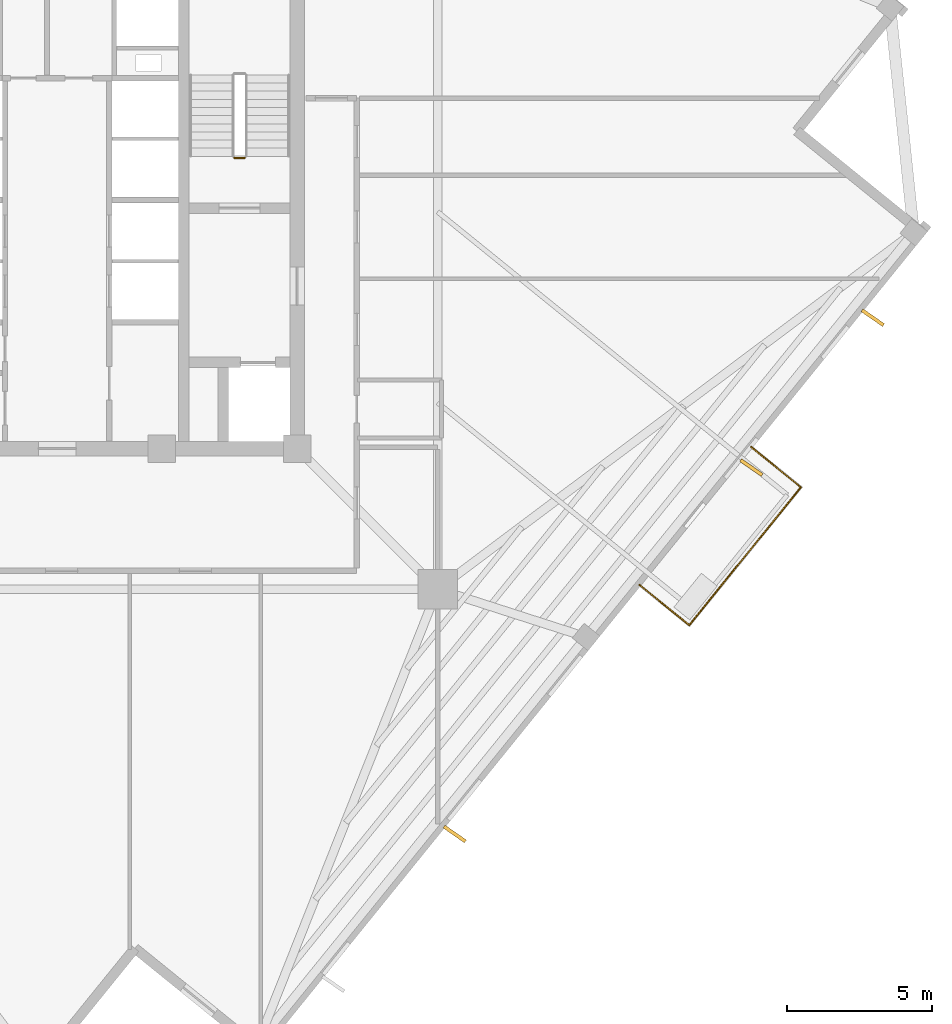
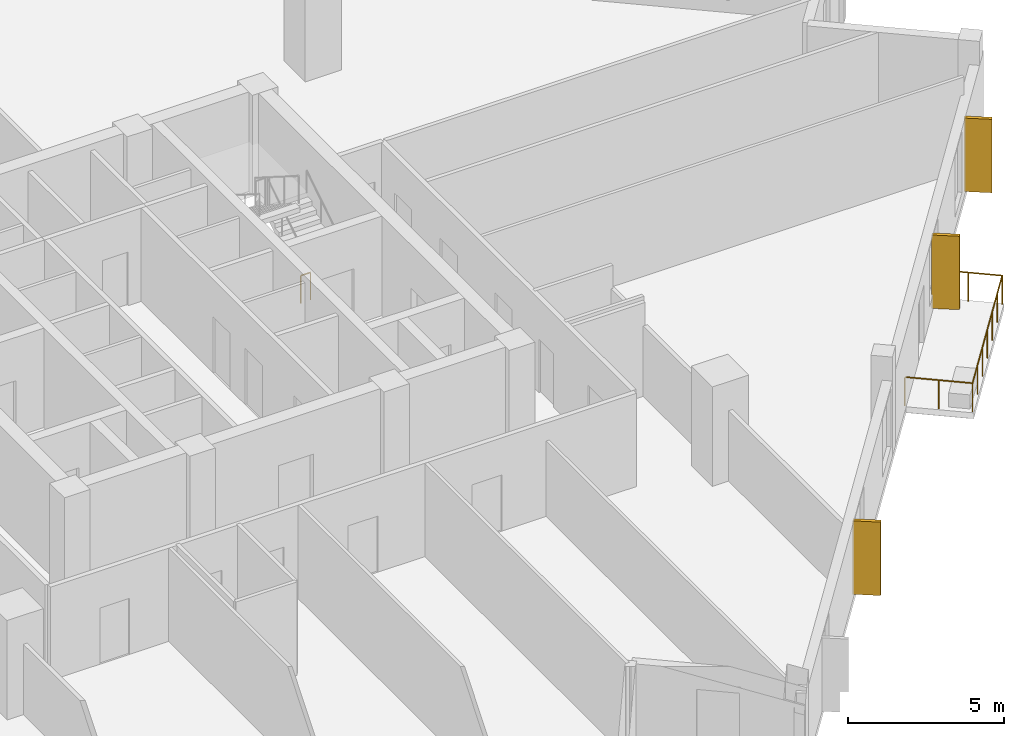
# One storey, part 7 of 9: 4 railings, 3 coverings.
"""IFC4 building model written with IfcOpenShell, lengths in metres."""

from ifc_helpers import new_model, si_unit, direction, frame, origin, origin_2d, place, context, subcontext, project, spatial, rectangle, circle, extrude, source, transform, mapped, material, layer, layer_set, type_object, element, save


model = new_model("IFC4")

# Units and contexts
model_context = context("Model", 3, precision=1e-05, world=origin(), true_north=direction((0.0, 1.0)))
body_context = subcontext(model_context, "Body", "Model", "MODEL_VIEW")
ifc_project = project(units=[si_unit("LENGTHUNIT", "METRE"), si_unit("AREAUNIT", "SQUARE_METRE"), si_unit("VOLUMEUNIT", "CUBIC_METRE"), si_unit("PLANEANGLEUNIT", "RADIAN"), si_unit("MASSUNIT", "GRAM", prefix="KILO"), si_unit("THERMODYNAMICTEMPERATUREUNIT", "KELVIN")], contexts=[model_context])

# Site, building, storey
site_placement = place(None, origin())
site = spatial("IfcSite", under=ifc_project, at=site_placement, CompositionType="ELEMENT")
building_placement = place(site_placement, origin())
building = spatial("IfcBuilding", under=site, at=building_placement, Name="Kosmvard Interchange Tower", CompositionType="ELEMENT")
storey_placement = place(building_placement, frame((0.0, 0.0, 209.5)))
storey = spatial("IfcBuildingStorey", under=building, at=storey_placement, Name="L50", CompositionType="ELEMENT", Elevation=209.5)

# Railings
ifc_material_1 = material(Name="Steel S355", Category="steel")
railing_type_1 = type_object("IfcRailingType", Name="Observation & Balcony Glass-Infill Balustrade 1150", PredefinedType="BALUSTRADE", material=ifc_material_1)
shared_shape_1 = source(origin(), body_context, "Body", "SweptSolid", [
    extrude(circle(Radius=0.02392578125, at=origin_2d()), frame((0.0, 0.0, 1.1259765625), z_axis=(0.777141488432, -0.629325914736, 0.0), x_axis=(0.629325914736, 0.777141488432, 0.0)), (0.0, 0.0, 1.0), 2.199951171875),
    extrude(circle(Radius=0.02099609375, at=origin_2d()), origin(), (0.0, 0.0, 1.0), 1.101806640625),
    extrude(circle(Radius=0.02099609375, at=origin_2d()), frame((0.85498046875, -0.6923828125, 0.0)), (0.0, 0.0, 1.0), 1.101806640625),
    extrude(circle(Radius=0.02099609375, at=origin_2d()), frame((1.709716796875, -1.384521484375, 0.0)), (0.0, 0.0, 1.0), 1.101806640625),
])
railing_1_placement = place(storey_placement, frame((20.023193359375, -12.93310546875, 0.0)))
element("IfcRailing", 1, at=railing_1_placement, inside=storey, type_object=railing_type_1, Name="L50 Outdoor Terrace Guard BAL-L50-SW-A", PredefinedType="BALUSTRADE", context=body_context, shape_type="MappedRepresentation", body=[
    mapped(shared_shape_1, transform((0.0, 0.0, 0.0), scale=1.0)),
])
shared_shape_2 = source(origin(), body_context, "Body", "SweptSolid", [
    extrude(circle(Radius=0.02392578125, at=origin_2d()), frame((0.0, 0.0, 1.1259765625), z_axis=(-0.777141488432, 0.629325914736, 0.0), x_axis=(-0.629325914736, -0.777141488432, 0.0)), (0.0, 0.0, 1.0), 2.199951171875),
    extrude(circle(Radius=0.02099609375, at=origin_2d()), origin(), (0.0, 0.0, 1.0), 1.101806640625),
    extrude(circle(Radius=0.02099609375, at=origin_2d()), frame((-0.85498046875, 0.6923828125, 0.0)), (0.0, 0.0, 1.0), 1.101806640625),
    extrude(circle(Radius=0.02099609375, at=origin_2d()), frame((-1.709716796875, 1.384521484375, 0.0)), (0.0, 0.0, 1.0), 1.101806640625),
])
railing_2_placement = place(storey_placement, frame((25.57177734375, -9.5771484375, 0.0)))
element("IfcRailing", 2, at=railing_2_placement, inside=storey, type_object=railing_type_1, Name="L50 Outdoor Terrace Guard BAL-L50-SW-C", PredefinedType="BALUSTRADE", context=body_context, shape_type="MappedRepresentation", body=[
    mapped(shared_shape_2, transform((0.0, 0.0, 0.0), scale=1.0)),
])

# Coverings
ifc_material_2 = material(Name="Architectural anodised aluminium", Category="aluminium")
ifc_layer = layer(ifc_material_2, 0.1201171875, Name="Architectural anodised aluminium")
ifc_layer_set = layer_set([ifc_layer], Name="Architectural anodised aluminium")
covering_type = type_object("IfcCoveringType", Name="Rotating Vertical Sun-Breaker Fin 900x120 Aluminium", PredefinedType="CLADDING", material=ifc_layer_set)
shared_shape_3 = source(origin(), body_context, "Body", "SweptSolid", [
    extrude(rectangle(XDim=0.89990234375, YDim=0.1201171875, at=origin_2d()), origin(), (0.0, 0.0, 1.0), 2.8798828125),
])
for number, where, z_axis, x_axis, name in (
    (3, (13.66748046875, -21.49658203125, 0.0400390625), (0.0, 0.0, 1.0), (0.821945274906, -0.569566471151, 0.0), "L50 Rotating Vertical Sun-Breaker Fin 02"),
    (4, (23.86865234375, -8.8994140625, 0.0400390625), (0.0, 0.0, 1.0), (0.821945274906, -0.569566471151, 0.0), "L50 Rotating Vertical Sun-Breaker Fin 03"),
    (5, (28.041748046875, -3.74609375, 0.0400390625), (0.0, 0.0, 1.0), (0.821945274906, -0.569566471151, 0.0), "L50 Rotating Vertical Sun-Breaker Fin 04"),
):
    element("IfcCovering", number, at=place(storey_placement, frame(where, z_axis=z_axis, x_axis=x_axis)), inside=storey, type_object=covering_type, Name=name, PredefinedType="CLADDING", context=body_context, shape_type="MappedRepresentation", body=[
        mapped(shared_shape_3, transform((0.0, 0.0, 0.0), scale=1.0)),
    ])

# Railings
shared_shape_4 = source(origin(), body_context, "Body", "SweptSolid", [
    extrude(circle(Radius=0.02392578125, at=origin_2d()), frame((0.0, 0.0, 1.1259765625), z_axis=(0.629330626282, 0.777137673017, 0.0), x_axis=(-0.777137673017, 0.629330626282, 0.0)), (0.0, 0.0, 1.0), 6.099853515625),
    extrude(circle(Radius=0.02099609375, at=origin_2d()), origin(), (0.0, 0.0, 1.0), 1.101806640625),
    extrude(circle(Radius=0.02099609375, at=origin_2d()), frame((0.639892578125, 0.7900390625, 0.0)), (0.0, 0.0, 1.0), 1.101806640625),
    extrude(circle(Radius=0.02099609375, at=origin_2d()), frame((1.279541015625, 1.580078125, 0.0)), (0.0, 0.0, 1.0), 1.101806640625),
    extrude(circle(Radius=0.02099609375, at=origin_2d()), frame((1.91943359375, 2.3701171875, 0.0)), (0.0, 0.0, 1.0), 1.101806640625),
    extrude(circle(Radius=0.02099609375, at=origin_2d()), frame((2.559326171875, 3.160400390625, 0.0)), (0.0, 0.0, 1.0), 1.101806640625),
    extrude(circle(Radius=0.02099609375, at=origin_2d()), frame((3.198974609375, 3.950439453125, 0.0)), (0.0, 0.0, 1.0), 1.101806640625),
    extrude(circle(Radius=0.02099609375, at=origin_2d()), frame((3.8388671875, 4.740478515625, 0.0)), (0.0, 0.0, 1.0), 1.101806640625),
])
railing_3_placement = place(storey_placement, frame((21.73291015625, -14.317626953125, 0.0)))
element("IfcRailing", 6, at=railing_3_placement, inside=storey, type_object=railing_type_1, Name="L50 Outdoor Terrace Guard BAL-L50-SW-B", PredefinedType="BALUSTRADE", context=body_context, shape_type="MappedRepresentation", body=[
    mapped(shared_shape_4, transform((0.0, 0.0, 0.0), scale=1.0)),
])
railing_type_2 = type_object("IfcRailingType", Name="Stair & Terrace Safety Guardrail 1100 Steel", PredefinedType="GUARDRAIL", material=ifc_material_1)
shared_shape_5 = source(origin(), body_context, "Body", "SweptSolid", [
    extrude(circle(Radius=0.02392578125, at=origin_2d()), frame((0.0, 0.0, 1.076171875), z_axis=(-1.0, 0.0, 0.0), x_axis=(0.0, -1.0, 0.0)), (0.0, 0.0, 1.0), 0.35986328125),
    extrude(circle(Radius=0.02099609375, at=origin_2d()), origin(), (0.0, 0.0, 1.0), 1.052001953125),
    extrude(circle(Radius=0.02099609375, at=origin_2d()), frame((-0.35986328125, 0.0, 0.0)), (0.0, 0.0, 1.0), 1.052001953125),
])
railing_4_placement = place(storey_placement, frame((6.449951171875, 1.75, 0.0)))
element("IfcRailing", 7, at=railing_4_placement, inside=storey, type_object=railing_type_2, Name="L50 ST-2 stair guard 4", PredefinedType="GUARDRAIL", context=body_context, shape_type="MappedRepresentation", body=[
    mapped(shared_shape_5, transform((0.0, 0.0, 0.0), scale=1.0)),
])

save(model, "model.ifc")
